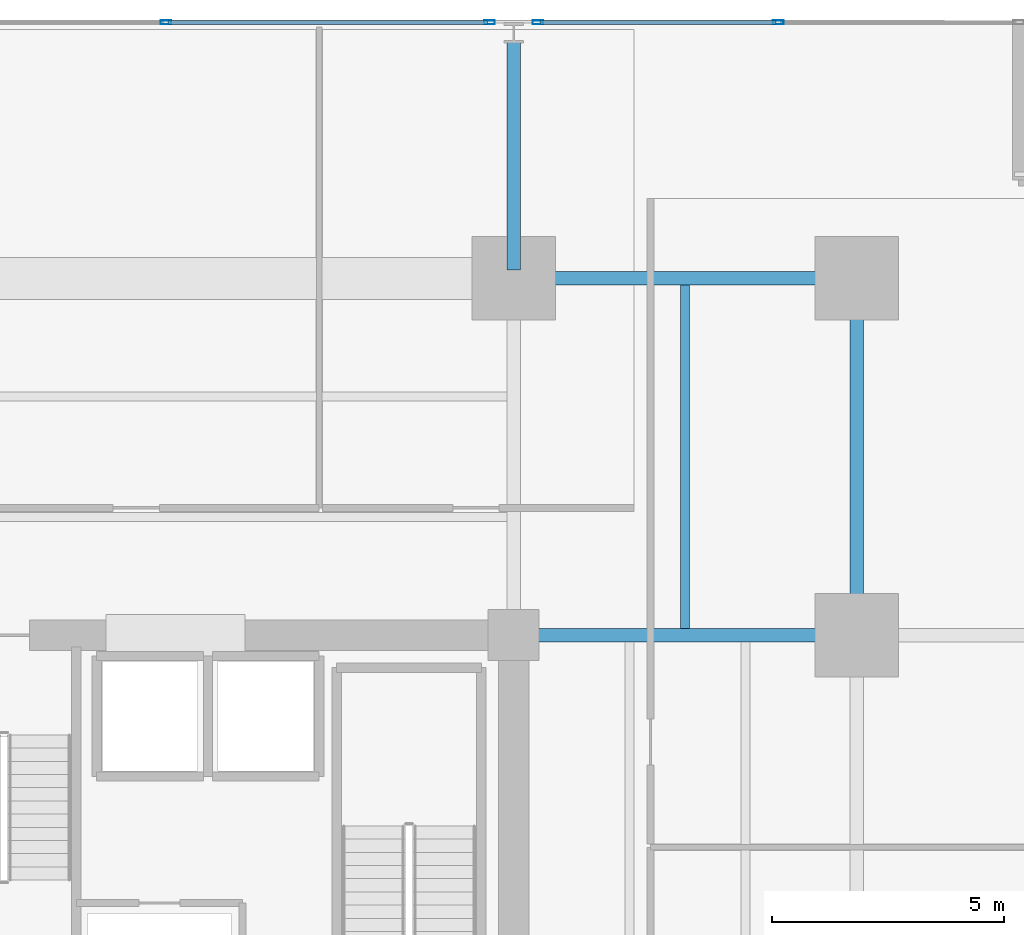
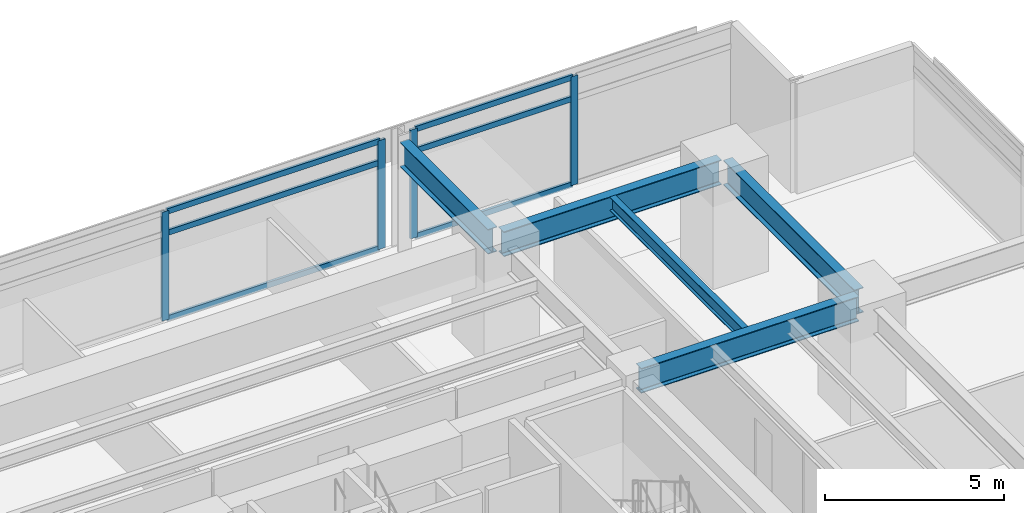
# One storey, part 11 of 23: 10 members, 5 beams, 2 elements without a shape of their own.
"""IFC4 building model written with IfcOpenShell, lengths in metres."""

from ifc_helpers import new_model, si_unit, direction, frame, origin, origin_2d, place, context, subcontext, project, spatial, hollow_rectangle, i_section, extrude, material, material_profile, profile_set, type_object, element, aggregate, save


model = new_model("IFC4")

# Units and contexts
model_context = context("Model", 3, precision=1e-05, world=origin(), true_north=direction((0.0, 1.0)))
body_context = subcontext(model_context, "Body", "Model", "MODEL_VIEW")
ifc_project = project(units=[si_unit("LENGTHUNIT", "METRE"), si_unit("AREAUNIT", "SQUARE_METRE"), si_unit("VOLUMEUNIT", "CUBIC_METRE"), si_unit("PLANEANGLEUNIT", "RADIAN"), si_unit("MASSUNIT", "GRAM", prefix="KILO")], contexts=[model_context])

# Site, building, storey
site_placement = place(None, origin())
site = spatial("IfcSite", under=ifc_project, at=site_placement, CompositionType="ELEMENT")
building_placement = place(site_placement, origin())
building = spatial("IfcBuilding", under=site, at=building_placement, Name="Kovane Verandah Tower", CompositionType="ELEMENT")
storey_placement = place(building_placement, frame((0.0, 0.0, 55.60009765625)))
storey = spatial("IfcBuildingStorey", under=building, at=storey_placement, Name="L12", CompositionType="ELEMENT", Elevation=55.60009765625)

# Beams
ifc_material_1 = material(Name="Steel S355", Category="steel")
ifc_material_profile_1 = material_profile(ifc_material_1, i_section(OverallWidth=0.293701171875, OverallDepth=0.850830078125, WebThickness=0.01611328125, FlangeThickness=0.02685546875, FilletRadius=0.017822265625, at=origin_2d()), Name="UB838x292x226")
ifc_profile_set_1 = profile_set([ifc_material_profile_1], Name="Steel S355")
beam_type_1 = type_object("IfcBeamType", Name="BM-UB838x226", PredefinedType="BEAM", material=ifc_profile_set_1)
beam_1_placement = place(storey_placement, frame((51.179931640625, 44.199951171875, 3.33447265625), z_axis=(1.0, 0.0, 0.0), x_axis=(0.0, 1.0, 0.0)))
element("IfcBeam", 1, at=beam_1_placement, inside=storey, type_object=beam_type_1, Name="L12 Primary Tower Girder G-RN3", PredefinedType="BEAM", context=body_context, shape_type="SweptSolid", body=[
    extrude(i_section(OverallWidth=0.293701171875, OverallDepth=0.850830078125, WebThickness=0.01611328125, FlangeThickness=0.02685546875, FilletRadius=0.017822265625, at=origin_2d()), origin(), (0.0, 0.0, 1.0), 7.0400390625),
])
beam_2_placement = place(storey_placement, frame((58.39990234375, 36.679931640625, 3.33447265625), z_axis=(0.0, 1.0, 0.0), x_axis=(-1.0, 0.0, 0.0)))
element("IfcBeam", 2, at=beam_2_placement, inside=storey, type_object=beam_type_1, Name="L12 Primary Tower Girder G-RE3", PredefinedType="BEAM", context=body_context, shape_type="SweptSolid", body=[
    extrude(i_section(OverallWidth=0.293701171875, OverallDepth=0.850830078125, WebThickness=0.01611328125, FlangeThickness=0.02685546875, FilletRadius=0.017822265625, at=origin_2d()), origin(), (0.0, 0.0, 1.0), 7.340087890625),
])
beam_3_placement = place(storey_placement, frame((51.179931640625, 36.5, 3.33447265625), z_axis=(1.0, 0.0, 0.0), x_axis=(0.0, 1.0, 0.0)))
element("IfcBeam", 3, at=beam_3_placement, inside=storey, type_object=beam_type_1, Name="L12 Primary Tower Girder G-E2", PredefinedType="BEAM", context=body_context, shape_type="SweptSolid", body=[
    extrude(i_section(OverallWidth=0.293701171875, OverallDepth=0.850830078125, WebThickness=0.01611328125, FlangeThickness=0.02685546875, FilletRadius=0.017822265625, at=origin_2d()), origin(), (0.0, 0.0, 1.0), 7.0400390625),
])
beam_4_placement = place(storey_placement, frame((51.0, 44.3798828125, 3.33447265625), z_axis=(0.0, 1.0, 0.0), x_axis=(-1.0, 0.0, 0.0)))
element("IfcBeam", 4, at=beam_4_placement, inside=storey, type_object=beam_type_1, Name="L12 Primary Tower Girder G-VN2", PredefinedType="BEAM", context=body_context, shape_type="SweptSolid", body=[
    extrude(i_section(OverallWidth=0.293701171875, OverallDepth=0.850830078125, WebThickness=0.01611328125, FlangeThickness=0.02685546875, FilletRadius=0.017822265625, at=origin_2d()), origin(), (0.0, 0.0, 1.0), 4.940185546875),
])

# Curtain wall, members
ifc_material_2 = material(Name="Champagne Anodised Aluminium Frame with Low-E Clear Laminated Glass", Category="aluminium")
curtain_wall_type = type_object("IfcCurtainWallType", Name="CW-SYS-02-LOW", PredefinedType="NOTDEFINED", material=ifc_material_2)
curtain_wall_1_placement = place(storey_placement, origin())
curtain_wall_1 = element("IfcCurtainWall", 5, at=curtain_wall_1_placement, inside=storey, type_object=curtain_wall_type, Name="L12 N Unitised Curtain Wall-1", PredefinedType="NOTDEFINED")
ifc_material_3 = material(Name="Champagne Anodised Aluminium 6063-T6", Category="aluminium")
ifc_material_profile_2 = material_profile(ifc_material_3, hollow_rectangle(XDim=0.0849609375, YDim=0.22998046875, WallThickness=0.00390625, at=origin_2d()), Name="AL85x230x4")
ifc_profile_set_2 = profile_set([ifc_material_profile_2], Name="Champagne Anodised Aluminium 6063-T6")
member_type_1 = type_object("IfcMemberType", Name="CW-MUL-85x230", PredefinedType="MULLION", material=ifc_profile_set_2)
member_1_placement = place(storey_placement, frame((56.7080078125, 49.727294921875, 0.02001953125), z_axis=(0.0, 0.0, 1.0), x_axis=(0.0, 1.0, 0.0)))
member_1 = element("IfcMember", 6, at=member_1_placement, type_object=member_type_1, Name="L12 N Unitised Curtain Wall-1 Mullion 2", PredefinedType="MULLION", context=body_context, shape_type="SweptSolid", body=[
    extrude(hollow_rectangle(XDim=0.0849609375, YDim=0.22998046875, WallThickness=0.00390625, at=origin_2d()), origin(), (0.0, 0.0, 1.0), 3.719970703125),
])
member_2_placement = place(storey_placement, frame((51.52001953125, 49.727294921875, 0.02001953125), z_axis=(0.0, 0.0, 1.0), x_axis=(0.0, 1.0, 0.0)))
member_2 = element("IfcMember", 7, at=member_2_placement, type_object=member_type_1, Name="L12 N Unitised Curtain Wall-1 Mullion 3", PredefinedType="MULLION", context=body_context, shape_type="SweptSolid", body=[
    extrude(hollow_rectangle(XDim=0.0849609375, YDim=0.22998046875, WallThickness=0.00390625, at=origin_2d()), origin(), (0.0, 0.0, 1.0), 3.719970703125),
])

curtain_wall_2_placement = place(storey_placement, origin())
curtain_wall_2 = element("IfcCurtainWall", 8, at=curtain_wall_2_placement, inside=storey, type_object=curtain_wall_type, Name="L12 N Unitised Curtain Wall-2", PredefinedType="NOTDEFINED")
member_3_placement = place(storey_placement, frame((50.47998046875, 49.727294921875, 0.02001953125), z_axis=(0.0, 0.0, 1.0), x_axis=(0.0, 1.0, 0.0)))
member_3 = element("IfcMember", 9, at=member_3_placement, type_object=member_type_1, Name="L12 N Unitised Curtain Wall-2 Mullion 1", PredefinedType="MULLION", context=body_context, shape_type="SweptSolid", body=[
    extrude(hollow_rectangle(XDim=0.0849609375, YDim=0.22998046875, WallThickness=0.00390625, at=origin_2d()), origin(), (0.0, 0.0, 1.0), 3.719970703125),
])
member_4_placement = place(storey_placement, frame((43.493408203125, 49.727294921875, 0.02001953125), z_axis=(0.0, 0.0, 1.0), x_axis=(0.0, 1.0, 0.0)))
member_4 = element("IfcMember", 10, at=member_4_placement, type_object=member_type_1, Name="L12 N Unitised Curtain Wall-2 Mullion 2", PredefinedType="MULLION", context=body_context, shape_type="SweptSolid", body=[
    extrude(hollow_rectangle(XDim=0.0849609375, YDim=0.22998046875, WallThickness=0.00390625, at=origin_2d()), origin(), (0.0, 0.0, 1.0), 3.719970703125),
])

# Member
ifc_material_profile_3 = material_profile(ifc_material_3, hollow_rectangle(XDim=0.0849609375, YDim=0.18994140625, WallThickness=0.00390625, at=origin_2d()), Name="AL85x190x4")
ifc_profile_set_3 = profile_set([ifc_material_profile_3], Name="Champagne Anodised Aluminium 6063-T6")
member_type_2 = type_object("IfcMemberType", Name="CW-TRN-85x190", PredefinedType="USERDEFINED", material=ifc_profile_set_3)
member_5_placement = place(storey_placement, frame((56.657958984375, 49.727294921875, 0.0498046875), z_axis=(-1.0, 0.0, 0.0), x_axis=(0.0, -1.0, 0.0)))
member_5 = element("IfcMember", 11, at=member_5_placement, type_object=member_type_2, Name="L12 N Unitised Curtain Wall-1 Transom TB Bay 2", ObjectType="TRANSOM", PredefinedType="USERDEFINED", context=body_context, shape_type="SweptSolid", body=[
    extrude(hollow_rectangle(XDim=0.0849609375, YDim=0.18994140625, WallThickness=0.00390625, at=origin_2d()), origin(), (0.0, 0.0, 1.0), 5.087890625),
])

member_6_placement = place(storey_placement, frame((56.657958984375, 49.727294921875, 2.97998046875), z_axis=(-1.0, 0.0, 0.0), x_axis=(0.0, -1.0, 0.0)))
member_6 = element("IfcMember", 12, at=member_6_placement, type_object=member_type_2, Name="L12 N Unitised Curtain Wall-1 Transom TM Bay 2", ObjectType="TRANSOM", PredefinedType="USERDEFINED", context=body_context, shape_type="SweptSolid", body=[
    extrude(hollow_rectangle(XDim=0.0849609375, YDim=0.18994140625, WallThickness=0.00390625, at=origin_2d()), origin(), (0.0, 0.0, 1.0), 5.087890625),
])

member_7_placement = place(storey_placement, frame((56.657958984375, 49.727294921875, 3.7099609375), z_axis=(-1.0, 0.0, 0.0), x_axis=(0.0, -1.0, 0.0)))
member_7 = element("IfcMember", 13, at=member_7_placement, type_object=member_type_2, Name="L12 N Unitised Curtain Wall-1 Transom TT Bay 2", ObjectType="TRANSOM", PredefinedType="USERDEFINED", context=body_context, shape_type="SweptSolid", body=[
    extrude(hollow_rectangle(XDim=0.0849609375, YDim=0.18994140625, WallThickness=0.00390625, at=origin_2d()), origin(), (0.0, 0.0, 1.0), 5.087890625),
])

aggregate(curtain_wall_1, [member_1, member_2, member_5, member_6, member_7])

member_8_placement = place(storey_placement, frame((50.429931640625, 49.727294921875, 0.0498046875), z_axis=(-1.0, 0.0, 0.0), x_axis=(0.0, -1.0, 0.0)))
member_8 = element("IfcMember", 14, at=member_8_placement, type_object=member_type_2, Name="L12 N Unitised Curtain Wall-2 Transom TB Bay 1", ObjectType="TRANSOM", PredefinedType="USERDEFINED", context=body_context, shape_type="SweptSolid", body=[
    extrude(hollow_rectangle(XDim=0.0849609375, YDim=0.18994140625, WallThickness=0.00390625, at=origin_2d()), origin(), (0.0, 0.0, 1.0), 6.88671875),
])

member_9_placement = place(storey_placement, frame((50.429931640625, 49.727294921875, 2.97998046875), z_axis=(-1.0, 0.0, 0.0), x_axis=(0.0, -1.0, 0.0)))
member_9 = element("IfcMember", 15, at=member_9_placement, type_object=member_type_2, Name="L12 N Unitised Curtain Wall-2 Transom TM Bay 1", ObjectType="TRANSOM", PredefinedType="USERDEFINED", context=body_context, shape_type="SweptSolid", body=[
    extrude(hollow_rectangle(XDim=0.0849609375, YDim=0.18994140625, WallThickness=0.00390625, at=origin_2d()), origin(), (0.0, 0.0, 1.0), 6.88671875),
])

member_10_placement = place(storey_placement, frame((50.429931640625, 49.727294921875, 3.7099609375), z_axis=(-1.0, 0.0, 0.0), x_axis=(0.0, -1.0, 0.0)))
member_10 = element("IfcMember", 16, at=member_10_placement, type_object=member_type_2, Name="L12 N Unitised Curtain Wall-2 Transom TT Bay 1", ObjectType="TRANSOM", PredefinedType="USERDEFINED", context=body_context, shape_type="SweptSolid", body=[
    extrude(hollow_rectangle(XDim=0.0849609375, YDim=0.18994140625, WallThickness=0.00390625, at=origin_2d()), origin(), (0.0, 0.0, 1.0), 6.88671875),
])

aggregate(curtain_wall_2, [member_3, member_4, member_8, member_9, member_10])

# Beam
ifc_material_profile_4 = material_profile(ifc_material_1, i_section(OverallWidth=0.19287109375, OverallDepth=0.46728515625, WebThickness=0.011474609375, FlangeThickness=0.01953125, FilletRadius=0.01025390625, at=origin_2d()), Name="UB457x191x98")
ifc_profile_set_4 = profile_set([ifc_material_profile_4], Name="Steel S355")
beam_type_2 = type_object("IfcBeamType", Name="JST-UB457x98", PredefinedType="JOIST", material=ifc_profile_set_4)
beam_5_placement = place(storey_placement, frame((54.699951171875, 36.64501953125, 3.5263671875), z_axis=(0.0, 1.0, 0.0), x_axis=(-1.0, 0.0, 0.0)))
element("IfcBeam", 17, at=beam_5_placement, inside=storey, type_object=beam_type_2, Name="L12 Secondary Composite Joist J-NE1", PredefinedType="JOIST", context=body_context, shape_type="SweptSolid", body=[
    extrude(i_section(OverallWidth=0.19287109375, OverallDepth=0.46728515625, WebThickness=0.011474609375, FlangeThickness=0.01953125, FilletRadius=0.01025390625, at=origin_2d()), origin(), (0.0, 0.0, 1.0), 7.41015625),
])

save(model, "model.ifc")
